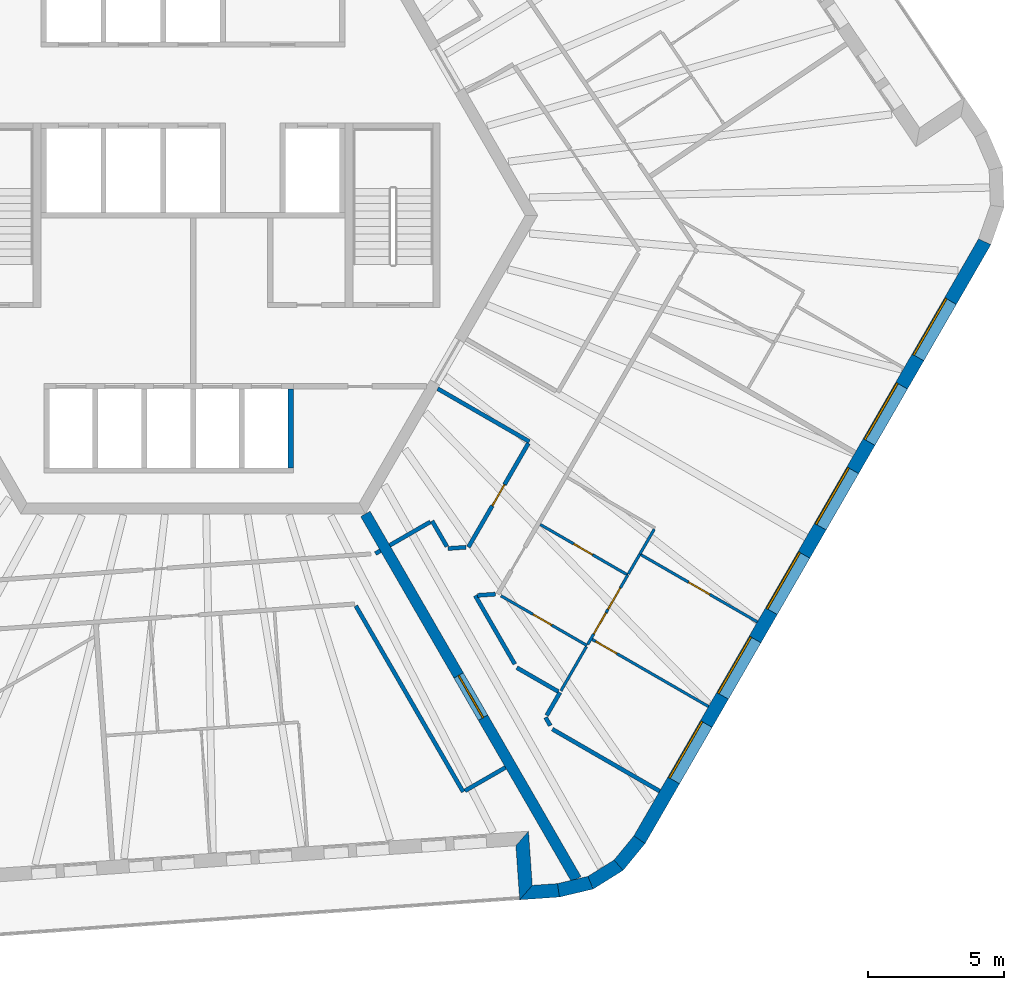
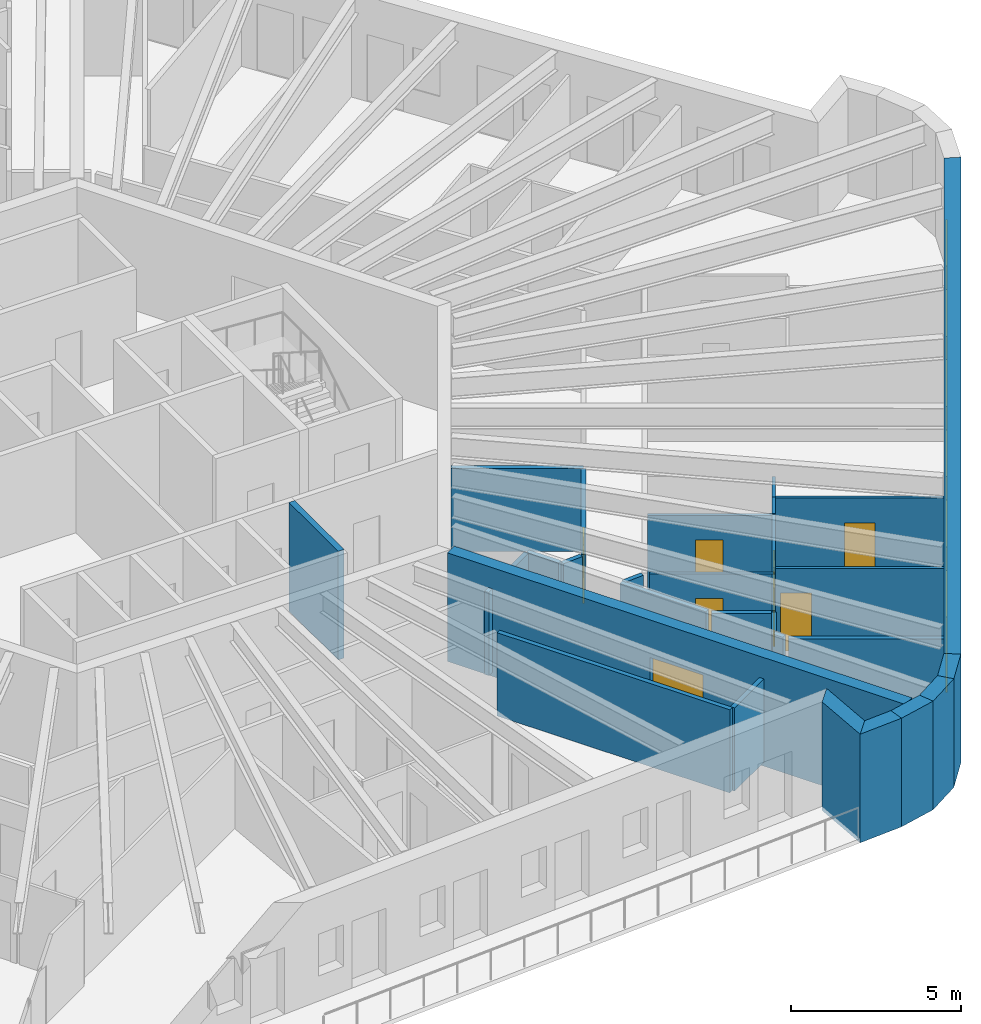
# One storey, part 6 of 12: 30 walls, 8 doors, 6 windows, 14 openings.
"""IFC4 building model written with IfcOpenShell, lengths in metres."""

from ifc_helpers import new_model, si_unit, direction, frame, frame_2d, origin, place, context, subcontext, project, spatial, polyline, rectangle, outline, extrude, material, layer, layer_set, type_object, element, fill, save


model = new_model("IFC4")

# Units and contexts
model_context = context("Model", 3, precision=1e-05, world=origin(), true_north=direction((0.0, 1.0)))
body_context = subcontext(model_context, "Body", "Model", "MODEL_VIEW")
ifc_project = project(units=[si_unit("LENGTHUNIT", "METRE"), si_unit("AREAUNIT", "SQUARE_METRE"), si_unit("VOLUMEUNIT", "CUBIC_METRE"), si_unit("PLANEANGLEUNIT", "RADIAN"), si_unit("MASSUNIT", "GRAM", prefix="KILO")], contexts=[model_context])

# Site, building, storey
site_placement = place(None, origin())
site = spatial("IfcSite", under=ifc_project, at=site_placement, CompositionType="ELEMENT")
building_placement = place(site_placement, origin())
building = spatial("IfcBuilding", under=site, at=building_placement, Name="Tarnside Tower", CompositionType="ELEMENT")
storey_placement = place(building_placement, frame((0.0, 0.0, 318.60009765625)))
storey = spatial("IfcBuildingStorey", under=building, at=storey_placement, Name="L77", CompositionType="ELEMENT", Elevation=318.60009765625)

# Wall
ifc_material_1 = material(Name="Gypsum board partition on steel studs", Category="steel")
ifc_layer_1 = layer(ifc_material_1, 0.10009765625)
ifc_layer_set_1 = layer_set([ifc_layer_1], Name="Bathroom wall 100")
wall_type_1 = type_object("IfcWallType", Name="Bathroom wall 100", PredefinedType="PARTITIONING", material=ifc_layer_set_1)
wall_1_placement = place(storey_placement, frame((16.994873046875, -11.56396484375, 0.0), z_axis=(0.0, 0.0, 1.0), x_axis=(-0.50002815445, -0.866009148195, 0.0)))
element("IfcWall", 1, at=wall_1_placement, inside=storey, type_object=wall_type_1, Name="Bathroom wall 25147", PredefinedType="PARTITIONING", context=body_context, shape_type="SweptSolid", body=[
    extrude(rectangle(XDim=1.06005859375, YDim=0.10009765625, at=frame_2d((0.530029296875, 0.0))), origin(), (0.0, 0.0, 1.0), 2.98779296875),
])

# Wall, opening, door
wall_2_placement = place(storey_placement, frame((16.02001953125, -13.252685546875, 0.0), z_axis=(0.0, 0.0, 1.0), x_axis=(-0.866028424924, 0.499994767197, 0.0)))
wall_2 = element("IfcWall", 2, at=wall_2_placement, inside=storey, type_object=wall_type_1, Name="Bathroom wall 25151", PredefinedType="PARTITIONING", context=body_context, shape_type="SweptSolid", body=[
    extrude(rectangle(XDim=3.72509765625, YDim=0.10009765625, at=frame_2d((1.862548828125, 0.0))), origin(), (0.0, 0.0, 1.0), 2.98779296875),
])
opening_1_placement = place(wall_2_placement, frame((1.5, 0.0, 0.0)))
opening_1 = element("IfcOpeningElement", 3, at=opening_1_placement, cuts=wall_2, Name="Opening D-B1", PredefinedType="OPENING", context=body_context, shape_type="SweptSolid", body=[
    extrude(rectangle(XDim=0.800048828125, YDim=2.10009765625, at=frame_2d((0.39990234375, 1.050048828125))), frame((0.0, 0.06005859375, 0.0), z_axis=(0.0, -1.0, 0.0), x_axis=(1.0, 0.0, 0.0)), (0.0, 0.0, 1.0), 0.1201171875),
])
ifc_material_2 = material(Name="Timber door leaf", Category="wood")
door_type_1 = type_object("IfcDoorType", Name="Bathroom door 800", OperationType="NOTDEFINED", PredefinedType="DOOR", material=ifc_material_2)
door_1_placement = place(opening_1_placement, origin())
door_1 = element("IfcDoor", 4, at=door_1_placement, inside=storey, type_object=door_type_1, Name="Bathroom door 25048", OperationType="SINGLE_SWING_LEFT", OverallHeight=2.10009765625, OverallWidth=0.800048828125, PredefinedType="DOOR", context=body_context, shape_type="SweptSolid", body=[
    extrude(rectangle(XDim=0.800048828125, YDim=2.10009765625, at=frame_2d((0.39990234375, 1.050048828125))), frame((0.0, 0.02490234375, 0.0), z_axis=(0.0, -1.0, 0.0), x_axis=(1.0, 0.0, 0.0)), (0.0, 0.0, 1.0), 0.050048828125),
])
fill(opening_1, door_1)

wall_3_placement = place(storey_placement, frame((11.34521484375, -14.017822265625, 0.0), z_axis=(0.0, 0.0, 1.0), x_axis=(0.866050287132, -0.499956898301, 0.0)))
wall_3 = element("IfcWall", 5, at=wall_3_placement, inside=storey, type_object=wall_type_1, Name="Bathroom wall 25154", PredefinedType="PARTITIONING", context=body_context, shape_type="SweptSolid", body=[
    extrude(rectangle(XDim=3.665771484375, YDim=0.10009765625, at=frame_2d((1.8330078125, 0.0))), origin(), (0.0, 0.0, 1.0), 2.98779296875),
])
opening_2_placement = place(wall_3_placement, frame((1.365966796875, 0.0, 0.0)))
opening_2 = element("IfcOpeningElement", 6, at=opening_2_placement, cuts=wall_3, Name="Opening D-B1", PredefinedType="OPENING", context=body_context, shape_type="SweptSolid", body=[
    extrude(rectangle(XDim=0.800048828125, YDim=2.10009765625, at=frame_2d((0.39990234375, 1.050048828125))), frame((0.0, 0.06005859375, 0.0), z_axis=(0.0, -1.0, 0.0), x_axis=(1.0, 0.0, 0.0)), (0.0, 0.0, 1.0), 0.1201171875),
])
door_2_placement = place(opening_2_placement, origin())
door_2 = element("IfcDoor", 7, at=door_2_placement, inside=storey, type_object=door_type_1, Name="Bathroom door 25056", OperationType="SINGLE_SWING_RIGHT", OverallHeight=2.10009765625, OverallWidth=0.800048828125, PredefinedType="DOOR", context=body_context, shape_type="SweptSolid", body=[
    extrude(rectangle(XDim=0.800048828125, YDim=2.10009765625, at=frame_2d((0.39990234375, 1.050048828125))), frame((0.0, 0.02490234375, 0.0), z_axis=(0.0, -1.0, 0.0), x_axis=(1.0, 0.0, 0.0)), (0.0, 0.0, 1.0), 0.050048828125),
])
fill(opening_2, door_2)

# Walls
wall_4_placement = place(storey_placement, frame((16.0439453125, -13.2109375, 0.0), z_axis=(0.0, 0.0, 1.0), x_axis=(0.499997969693, 0.866026575979, 0.0)))
element("IfcWall", 8, at=wall_4_placement, inside=storey, type_object=wall_type_1, Name="Bathroom wall 25155", PredefinedType="PARTITIONING", context=body_context, shape_type="SweptSolid", body=[
    extrude(rectangle(XDim=0.84375, YDim=0.10009765625, at=frame_2d((0.421875, 0.0))), origin(), (0.0, 0.0, 1.0), 2.98779296875),
])
wall_5_placement = place(storey_placement, frame((14.494873046875, -15.89404296875, 0.0), z_axis=(0.0, 0.0, 1.0), x_axis=(-0.500004234368, -0.866022959057, 0.0)))
element("IfcWall", 9, at=wall_5_placement, inside=storey, type_object=wall_type_1, Name="Bathroom wall 25157", PredefinedType="PARTITIONING", context=body_context, shape_type="SweptSolid", body=[
    extrude(rectangle(XDim=1.875, YDim=0.10009765625, at=frame_2d((0.9375, 0.0))), origin(), (0.0, 0.0, 1.0), 2.98779296875),
])

# Wall, opening, door
ifc_material_3 = material(Name="Concrete C60/75", Category="concrete")
ifc_layer_2 = layer(ifc_material_3, 0.39990234375)
ifc_layer_set_2 = layer_set([ifc_layer_2], Name="Core wall Z3 400 C60/75")
wall_type_2 = type_object("IfcWallType", Name="Core wall Z3 400 C60/75", PredefinedType="SHEAR", material=ifc_layer_set_2)
wall_6_placement = place(storey_placement, frame((6.350830078125, -11.0, -0.150146484375), z_axis=(0.0, 0.0, 1.0), x_axis=(0.499998894578, -0.866026041999, 0.0)))
wall_6 = element("IfcWall", 10, at=wall_6_placement, inside=storey, type_object=wall_type_2, Name="L77 spine wall 3", PredefinedType="SHEAR", context=body_context, shape_type="SweptSolid", body=[
    extrude(rectangle(XDim=15.54443359375, YDim=0.39990234375, at=frame_2d((7.772216796875, 0.0))), origin(), (0.0, 0.0, 1.0), 3.900146484375),
])
opening_3_placement = place(wall_6_placement, frame((6.872314453125, 0.0, 0.14990234375)))
opening_3 = element("IfcOpeningElement", 11, at=opening_3_placement, cuts=wall_6, Name="Opening CD-SPN", PredefinedType="OPENING", context=body_context, shape_type="SweptSolid", body=[
    extrude(rectangle(XDim=1.800048828125, YDim=2.39990234375, at=frame_2d((0.89990234375, 1.199951171875))), frame((0.0, 0.2099609375, 0.0), z_axis=(0.0, -1.0, 0.0), x_axis=(1.0, 0.0, 0.0)), (0.0, 0.0, 1.0), 0.419921875),
])
ifc_material_4 = material(Name="Steel fire door", Category="steel")
door_type_2 = type_object("IfcDoorType", Name="Spine passage double door FD60 1800x2400", OperationType="NOTDEFINED", PredefinedType="DOOR", material=ifc_material_4)
door_3_placement = place(opening_3_placement, origin())
door_3 = element("IfcDoor", 12, at=door_3_placement, inside=storey, type_object=door_type_2, Name="L77 spine passage door 3", OperationType="DOUBLE_DOOR_SINGLE_SWING", OverallHeight=2.39990234375, OverallWidth=1.800048828125, PredefinedType="DOOR", context=body_context, shape_type="SweptSolid", body=[
    extrude(rectangle(XDim=1.800048828125, YDim=2.39990234375, at=frame_2d((0.89990234375, 1.199951171875))), frame((0.0, 0.02490234375, 0.0), z_axis=(0.0, -1.0, 0.0), x_axis=(1.0, 0.0, 0.0)), (0.0, 0.0, 1.0), 0.050048828125),
])
fill(opening_3, door_3)

# Walls
ifc_layer_3 = layer(ifc_material_1, 0.14990234375)
ifc_layer_set_3 = layer_set([ifc_layer_3], Name="Corridor wall 150 EI 60")
wall_type_3 = type_object("IfcWallType", Name="Corridor wall 150 EI 60", PredefinedType="PARTITIONING", material=ifc_layer_set_3)
wall_7_placement = place(storey_placement, frame((5.99951171875, -14.3916015625, 0.0), z_axis=(0.0, 0.0, 1.0), x_axis=(0.499999400414, -0.866025749955, 0.0)))
element("IfcWall", 13, at=wall_7_placement, inside=storey, type_object=wall_type_3, Name="Corridor wall 25039", PredefinedType="PARTITIONING", context=body_context, shape_type="SweptSolid", body=[
    extrude(rectangle(XDim=7.91064453125, YDim=0.14990234375, at=frame_2d((3.955322265625, 0.0))), origin(), (0.0, 0.0, 1.0), 2.98779296875),
])
wall_8_placement = place(storey_placement, frame((10.019775390625, -21.204833984375, 0.0), z_axis=(0.0, 0.0, 1.0), x_axis=(0.866074815912, 0.499914405916, 0.0)))
element("IfcWall", 14, at=wall_8_placement, inside=storey, type_object=wall_type_3, Name="Corridor wall 25040", PredefinedType="PARTITIONING", context=body_context, shape_type="SweptSolid", body=[
    extrude(rectangle(XDim=1.724853515625, YDim=0.14990234375, at=frame_2d((0.8623046875, 0.0))), origin(), (0.0, 0.0, 1.0), 2.98779296875),
])
wall_9_placement = place(storey_placement, frame((6.903076171875, -12.3564453125, 0.0), z_axis=(0.0, 0.0, 1.0), x_axis=(-0.866088799389, -0.499890179513, 0.0)))
element("IfcWall", 15, at=wall_9_placement, inside=storey, type_object=wall_type_3, Name="Corridor wall 25049", PredefinedType="PARTITIONING", context=body_context, shape_type="SweptSolid", body=[
    extrude(rectangle(XDim=0.2099609375, YDim=0.14990234375, at=frame_2d((0.10498046875, 0.0))), origin(), (0.0, 0.0, 1.0), 2.98779296875),
])
wall_10_placement = place(storey_placement, frame((17.196044921875, -21.215576171875, 0.0), z_axis=(0.0, 0.0, 1.0), x_axis=(-0.866028083473, 0.499995358614, 0.0)))
element("IfcWall", 16, at=wall_10_placement, inside=storey, type_object=wall_type_3, Name="Corridor wall 25056", PredefinedType="PARTITIONING", context=body_context, shape_type="SweptSolid", body=[
    extrude(rectangle(XDim=4.56884765625, YDim=0.14990234375, at=frame_2d((2.284423828125, 0.0))), origin(), (0.0, 0.0, 1.0), 2.98779296875),
])
wall_11_placement = place(storey_placement, frame((13.164306640625, -18.80126953125, 0.0), z_axis=(0.0, 0.0, 1.0), x_axis=(-0.499762962979, 0.866162213927, 0.0)))
element("IfcWall", 17, at=wall_11_placement, inside=storey, type_object=wall_type_3, Name="Corridor wall 25057", PredefinedType="PARTITIONING", context=body_context, shape_type="SweptSolid", body=[
    extrude(rectangle(XDim=0.347900390625, YDim=0.14990234375, at=frame_2d((0.173828125, 0.0))), origin(), (0.0, 0.0, 1.0), 2.98779296875),
])
wall_12_placement = place(storey_placement, frame((13.03369140625, -18.425048828125, 0.0), z_axis=(0.0, 0.0, 1.0), x_axis=(0.500011000363, 0.866019052629, 0.0)))
element("IfcWall", 18, at=wall_12_placement, inside=storey, type_object=wall_type_3, Name="Corridor wall 25058", PredefinedType="PARTITIONING", context=body_context, shape_type="SweptSolid", body=[
    extrude(rectangle(XDim=0.9765625, YDim=0.14990234375, at=frame_2d((0.48828125, 0.0))), origin(), (0.0, 0.0, 1.0), 2.98779296875),
])
wall_13_placement = place(storey_placement, frame((13.455078125, -17.545166015625, 0.0), z_axis=(0.0, 0.0, 1.0), x_axis=(-0.866074688284, 0.499914627025, 0.0)))
element("IfcWall", 19, at=wall_13_placement, inside=storey, type_object=wall_type_3, Name="Corridor wall 25059", PredefinedType="PARTITIONING", context=body_context, shape_type="SweptSolid", body=[
    extrude(rectangle(XDim=1.759521484375, YDim=0.14990234375, at=frame_2d((0.8798828125, 0.0))), origin(), (0.0, 0.0, 1.0), 2.98779296875),
])
wall_14_placement = place(storey_placement, frame((11.856201171875, -16.53564453125, 0.0), z_axis=(0.0, 0.0, 1.0), x_axis=(-0.49996389635, 0.866046247233, 0.0)))
element("IfcWall", 20, at=wall_14_placement, inside=storey, type_object=wall_type_3, Name="Corridor wall 25060", PredefinedType="PARTITIONING", context=body_context, shape_type="SweptSolid", body=[
    extrude(rectangle(XDim=2.917724609375, YDim=0.14990234375, at=frame_2d((1.458984375, 0.0))), origin(), (0.0, 0.0, 1.0), 2.98779296875),
])
wall_15_placement = place(storey_placement, frame((10.480712890625, -14.0029296875, 0.0), z_axis=(0.0, 0.0, 1.0), x_axis=(0.997577490052, 0.06956400895, 0.0)))
element("IfcWall", 21, at=wall_15_placement, inside=storey, type_object=wall_type_3, Name="Corridor wall 25061", PredefinedType="PARTITIONING", context=body_context, shape_type="SweptSolid", body=[
    extrude(rectangle(XDim=0.659912109375, YDim=0.14990234375, at=frame_2d((0.330078125, 0.0))), origin(), (0.0, 0.0, 1.0), 2.98779296875),
])
wall_16_placement = place(storey_placement, frame((9.015625, -6.38427734375, 0.0), z_axis=(0.0, 0.0, 1.0), x_axis=(0.866042777325, -0.499969906938, 0.0)))
element("IfcWall", 22, at=wall_16_placement, inside=storey, type_object=wall_type_3, Name="Corridor wall 25077", PredefinedType="PARTITIONING", context=body_context, shape_type="SweptSolid", body=[
    extrude(rectangle(XDim=3.900146484375, YDim=0.14990234375, at=frame_2d((1.9501953125, 0.0))), origin(), (0.0, 0.0, 1.0), 2.98779296875),
])

# Wall, opening, door
wall_17_placement = place(storey_placement, frame((12.355712890625, -8.399169921875, 0.0), z_axis=(0.0, 0.0, 1.0), x_axis=(-0.499993756358, -0.866029008523, 0.0)))
wall_17 = element("IfcWall", 23, at=wall_17_placement, inside=storey, type_object=wall_type_3, Name="Corridor wall 25078", PredefinedType="PARTITIONING", context=body_context, shape_type="SweptSolid", body=[
    extrude(rectangle(XDim=4.4140625, YDim=0.14990234375, at=frame_2d((2.20703125, 0.0))), origin(), (0.0, 0.0, 1.0), 2.98779296875),
])
opening_4_placement = place(wall_17_placement, frame((1.7568359375, 0.0, 0.0)))
opening_4 = element("IfcOpeningElement", 24, at=opening_4_placement, cuts=wall_17, Name="Opening D-S1", PredefinedType="OPENING", context=body_context, shape_type="SweptSolid", body=[
    extrude(rectangle(XDim=0.89990234375, YDim=2.10009765625, at=frame_2d((0.449951171875, 1.050048828125))), frame((0.0, 0.0849609375, 0.0), z_axis=(0.0, -1.0, 0.0), x_axis=(1.0, 0.0, 0.0)), (0.0, 0.0, 1.0), 0.169921875),
])
door_type_3 = type_object("IfcDoorType", Name="Service room door 900 FD30S", OperationType="NOTDEFINED", PredefinedType="DOOR", material=ifc_material_2)
door_4_placement = place(opening_4_placement, origin())
door_4 = element("IfcDoor", 25, at=door_4_placement, inside=storey, type_object=door_type_3, Name="Service door 25076", OperationType="SINGLE_SWING_LEFT", OverallHeight=2.10009765625, OverallWidth=0.89990234375, PredefinedType="DOOR", context=body_context, shape_type="SweptSolid", body=[
    extrude(rectangle(XDim=0.89990234375, YDim=2.10009765625, at=frame_2d((0.449951171875, 1.050048828125))), frame((0.0, 0.02490234375, 0.0), z_axis=(0.0, -1.0, 0.0), x_axis=(1.0, 0.0, 0.0)), (0.0, 0.0, 1.0), 0.050048828125),
])
fill(opening_4, door_4)

# Walls
wall_18_placement = place(storey_placement, frame((10.05859375, -12.22802734375, 0.0), z_axis=(0.0, 0.0, 1.0), x_axis=(-0.99755845504, -0.069836443057, 0.0)))
element("IfcWall", 26, at=wall_18_placement, inside=storey, type_object=wall_type_3, Name="Corridor wall 25079", PredefinedType="PARTITIONING", context=body_context, shape_type="SweptSolid", body=[
    extrude(rectangle(XDim=0.664306640625, YDim=0.14990234375, at=frame_2d((0.33203125, 0.0))), origin(), (0.0, 0.0, 1.0), 2.98779296875),
])
wall_19_placement = place(storey_placement, frame((9.354248046875, -12.2021484375, 0.0), z_axis=(0.0, 0.0, 1.0), x_axis=(-0.499986987217, 0.866032916588, 0.0)))
element("IfcWall", 27, at=wall_19_placement, inside=storey, type_object=wall_type_3, Name="Corridor wall 25080", PredefinedType="PARTITIONING", context=body_context, shape_type="SweptSolid", body=[
    extrude(rectangle(XDim=1.091796875, YDim=0.14990234375, at=frame_2d((0.5458984375, 0.0))), origin(), (0.0, 0.0, 1.0), 2.98779296875),
])
wall_20_placement = place(storey_placement, frame((8.743408203125, -11.2939453125, 0.0), z_axis=(0.0, 0.0, 1.0), x_axis=(-0.866013532718, -0.500020560727, 0.0)))
element("IfcWall", 28, at=wall_20_placement, inside=storey, type_object=wall_type_3, Name="Corridor wall 25081", PredefinedType="PARTITIONING", context=body_context, shape_type="SweptSolid", body=[
    extrude(rectangle(XDim=1.72509765625, YDim=0.14990234375, at=frame_2d((0.862548828125, 0.0))), origin(), (0.0, 0.0, 1.0), 2.98779296875),
])
ifc_material_5 = material(Name="Concrete C40/50", Category="concrete")
ifc_layer_4 = layer(ifc_material_5, 0.199951171875)
ifc_layer_set_4 = layer_set([ifc_layer_4], Name="Lift shaft wall 200 C40/50")
wall_type_4 = type_object("IfcWallType", Name="Lift shaft wall 200 C40/50", PredefinedType="SHEAR", material=ifc_layer_set_4)
wall_21_placement = place(storey_placement, frame((3.60009765625, -9.300048828125, -0.25), z_axis=(0.0, 0.0, 1.0), x_axis=(0.0, 1.0, 0.0)))
element("IfcWall", 29, at=wall_21_placement, inside=storey, type_object=wall_type_4, Name="L77 lift shaft partition R46", PredefinedType="SHEAR", context=body_context, shape_type="SweptSolid", body=[
    extrude(rectangle(XDim=2.900146484375, YDim=0.199951171875, at=frame_2d((1.4501953125, 0.0))), origin(), (0.0, 0.0, 1.0), 3.89990234375),
])
ifc_material_6 = material(Name="Dark zinc cladding")
ifc_layer_5 = layer(ifc_material_6, 0.10205078125)
ifc_material_7 = material(Name="Concrete C60/75 precast", Category="concrete")
ifc_layer_6 = layer(ifc_material_7, 0.298095703125)
ifc_material_8 = material(Name="Mineral wool insulation")
ifc_layer_7 = layer(ifc_material_8, 0.10009765625)
ifc_layer_set_5 = layer_set([ifc_layer_5, ifc_layer_6, ifc_layer_7], Name="Loggia wall 500 zinc faced")
wall_type_5 = type_object("IfcWallType", Name="Loggia wall 500 zinc faced", PredefinedType="SOLIDWALL", material=ifc_layer_set_5)
wall_22_placement = place(storey_placement, frame((12.128662109375, -22.9599609375, -0.150146484375), z_axis=(0.0, 0.0, 1.0), x_axis=(0.069824268692, -0.99755930726, 0.0)))
element("IfcWall", 30, at=wall_22_placement, inside=storey, type_object=wall_type_5, Name="Tube wall L77 F4 return 19", PredefinedType="SOLIDWALL", context=body_context, shape_type="SweptSolid", body=[
    extrude(outline(polyline([(0.25, -0.25), (2.25, -0.25), (1.75, 0.25), (-0.25, 0.25), (0.25, -0.25)])), origin(), (0.0, 0.0, 1.0), 3.900146484375),
])
wall_23_placement = place(storey_placement, frame((12.268310546875, -24.955078125, -0.150146484375), z_axis=(0.0, 0.0, 1.0), x_axis=(0.997561942506, 0.06978660948, 0.0)))
element("IfcWall", 31, at=wall_23_placement, inside=storey, type_object=wall_type_5, Name="Tube wall L77 F4 stub 20", PredefinedType="SOLIDWALL", context=body_context, shape_type="SweptSolid", body=[
    extrude(outline(polyline([(-0.25, -0.25), (1.220458984375, -0.25), (1.179443359375, 0.25), (0.25, 0.25), (-0.25, -0.25)])), origin(), (0.0, 0.0, 1.0), 3.900146484375),
])

# Wall, opening, door
ifc_layer_8 = layer(ifc_material_1, 0.10009765625)
ifc_layer_set_6 = layer_set([ifc_layer_8], Name="Partition 100")
wall_type_6 = type_object("IfcWallType", Name="Partition 100", PredefinedType="PARTITIONING", material=ifc_layer_set_6)
wall_24_placement = place(storey_placement, frame((16.50927734375, -12.505126953125, 0.0), z_axis=(0.0, 0.0, 1.0), x_axis=(0.866018855338, -0.500011342071, 0.0)))
wall_24 = element("IfcWall", 32, at=wall_24_placement, inside=storey, type_object=wall_type_6, Name="Partition wall 25148", PredefinedType="PARTITIONING", context=body_context, shape_type="SweptSolid", body=[
    extrude(rectangle(XDim=4.9501953125, YDim=0.10009765625, at=frame_2d((2.47509765625, 0.0))), origin(), (0.0, 0.0, 1.0), 2.98779296875),
])
opening_5_placement = place(wall_24_placement, frame((2.02490234375, 0.0, 0.0)))
opening_5 = element("IfcOpeningElement", 33, at=opening_5_placement, cuts=wall_24, Name="Opening D-I1", PredefinedType="OPENING", context=body_context, shape_type="SweptSolid", body=[
    extrude(rectangle(XDim=0.89990234375, YDim=2.10009765625, at=frame_2d((0.449951171875, 1.050048828125))), frame((0.0, 0.06005859375, 0.0), z_axis=(0.0, -1.0, 0.0), x_axis=(1.0, 0.0, 0.0)), (0.0, 0.0, 1.0), 0.1201171875),
])
door_type_4 = type_object("IfcDoorType", Name="Internal door 900", OperationType="NOTDEFINED", PredefinedType="DOOR", material=ifc_material_2)
door_5_placement = place(opening_5_placement, origin())
door_5 = element("IfcDoor", 34, at=door_5_placement, inside=storey, type_object=door_type_4, Name="Internal door 25070", OperationType="SINGLE_SWING_RIGHT", OverallHeight=2.10009765625, OverallWidth=0.89990234375, PredefinedType="DOOR", context=body_context, shape_type="SweptSolid", body=[
    extrude(rectangle(XDim=0.89990234375, YDim=2.10009765625, at=frame_2d((0.449951171875, 1.050048828125))), frame((0.0, 0.02490234375, 0.0), z_axis=(0.0, -1.0, 0.0), x_axis=(1.0, 0.0, 0.0)), (0.0, 0.0, 1.0), 0.050048828125),
])
fill(opening_5, door_5)

# Wall, openings, doors
wall_25_placement = place(storey_placement, frame((14.5439453125, -15.80908203125, 0.0), z_axis=(0.0, 0.0, 1.0), x_axis=(0.500032473623, 0.866006654318, 0.0)))
wall_25 = element("IfcWall", 35, at=wall_25_placement, inside=storey, type_object=wall_type_6, Name="Partition wall 25152", PredefinedType="PARTITIONING", context=body_context, shape_type="SweptSolid", body=[
    extrude(rectangle(XDim=2.953857421875, YDim=0.10009765625, at=frame_2d((1.47705078125, 0.0))), origin(), (0.0, 0.0, 1.0), 2.98779296875),
])
opening_6_placement = place(wall_25_placement, frame((0.44384765625, 0.0, 0.0)))
opening_6 = element("IfcOpeningElement", 36, at=opening_6_placement, cuts=wall_25, Name="Opening D-I1", PredefinedType="OPENING", context=body_context, shape_type="SweptSolid", body=[
    extrude(rectangle(XDim=0.89990234375, YDim=2.10009765625, at=frame_2d((0.449951171875, 1.050048828125))), frame((0.0, 0.06005859375, 0.0), z_axis=(0.0, -1.0, 0.0), x_axis=(1.0, 0.0, 0.0)), (0.0, 0.0, 1.0), 0.1201171875),
])
opening_7_placement = place(wall_25_placement, frame((1.498046875, 0.0, 0.0)))
opening_7 = element("IfcOpeningElement", 37, at=opening_7_placement, cuts=wall_25, Name="Opening D-I1", PredefinedType="OPENING", context=body_context, shape_type="SweptSolid", body=[
    extrude(rectangle(XDim=0.89990234375, YDim=2.10009765625, at=frame_2d((0.449951171875, 1.050048828125))), frame((0.0, 0.06005859375, 0.0), z_axis=(0.0, -1.0, 0.0), x_axis=(1.0, 0.0, 0.0)), (0.0, 0.0, 1.0), 0.1201171875),
])
door_6_placement = place(opening_6_placement, origin())
door_6 = element("IfcDoor", 38, at=door_6_placement, inside=storey, type_object=door_type_4, Name="Internal door 25051", OperationType="SINGLE_SWING_LEFT", OverallHeight=2.10009765625, OverallWidth=0.89990234375, PredefinedType="DOOR", context=body_context, shape_type="SweptSolid", body=[
    extrude(rectangle(XDim=0.89990234375, YDim=2.10009765625, at=frame_2d((0.449951171875, 1.050048828125))), frame((0.0, 0.02490234375, 0.0), z_axis=(0.0, -1.0, 0.0), x_axis=(1.0, 0.0, 0.0)), (0.0, 0.0, 1.0), 0.050048828125),
])
fill(opening_6, door_6)
door_7_placement = place(opening_7_placement, origin())
door_7 = element("IfcDoor", 39, at=door_7_placement, inside=storey, type_object=door_type_4, Name="Internal door 25055", OperationType="SINGLE_SWING_LEFT", OverallHeight=2.10009765625, OverallWidth=0.89990234375, PredefinedType="DOOR", context=body_context, shape_type="SweptSolid", body=[
    extrude(rectangle(XDim=0.89990234375, YDim=2.10009765625, at=frame_2d((0.449951171875, 1.050048828125))), frame((0.0, 0.02490234375, 0.0), z_axis=(0.0, -1.0, 0.0), x_axis=(1.0, 0.0, 0.0)), (0.0, 0.0, 1.0), 0.050048828125),
])
fill(opening_7, door_7)

# Wall, opening, door
wall_26_placement = place(storey_placement, frame((18.99609375, -18.097900390625, 0.0), z_axis=(0.0, 0.0, 1.0), x_axis=(-0.866018855338, 0.500011342071, 0.0)))
wall_26 = element("IfcWall", 40, at=wall_26_placement, inside=storey, type_object=wall_type_6, Name="Partition wall 25156", PredefinedType="PARTITIONING", context=body_context, shape_type="SweptSolid", body=[
    extrude(rectangle(XDim=4.9501953125, YDim=0.10009765625, at=frame_2d((2.47509765625, 0.0))), origin(), (0.0, 0.0, 1.0), 2.98779296875),
])
opening_8_placement = place(wall_26_placement, frame((3.89990234375, 0.0, 0.0)))
opening_8 = element("IfcOpeningElement", 41, at=opening_8_placement, cuts=wall_26, Name="Opening D-I1", PredefinedType="OPENING", context=body_context, shape_type="SweptSolid", body=[
    extrude(rectangle(XDim=0.89990234375, YDim=2.10009765625, at=frame_2d((0.449951171875, 1.050048828125))), frame((0.0, 0.06005859375, 0.0), z_axis=(0.0, -1.0, 0.0), x_axis=(1.0, 0.0, 0.0)), (0.0, 0.0, 1.0), 0.1201171875),
])
door_8_placement = place(opening_8_placement, origin())
door_8 = element("IfcDoor", 42, at=door_8_placement, inside=storey, type_object=door_type_4, Name="Internal door 25054", OperationType="SINGLE_SWING_RIGHT", OverallHeight=2.10009765625, OverallWidth=0.89990234375, PredefinedType="DOOR", context=body_context, shape_type="SweptSolid", body=[
    extrude(rectangle(XDim=0.89990234375, YDim=2.10009765625, at=frame_2d((0.449951171875, 1.050048828125))), frame((0.0, 0.02490234375, 0.0), z_axis=(0.0, -1.0, 0.0), x_axis=(1.0, 0.0, 0.0)), (0.0, 0.0, 1.0), 0.050048828125),
])
fill(opening_8, door_8)

# Walls
ifc_material_9 = material(Name="Facing brick", Category="masonry")
ifc_layer_9 = layer(ifc_material_9, 0.10205078125)
ifc_layer_10 = layer(ifc_material_7, 0.298095703125)
ifc_layer_11 = layer(ifc_material_8, 0.10009765625)
ifc_layer_set_7 = layer_set([ifc_layer_9, ifc_layer_10, ifc_layer_11], Name="Tube wall 500 brick faced")
wall_type_7 = type_object("IfcWallType", Name="Tube wall 500 brick faced", PredefinedType="SOLIDWALL", material=ifc_layer_set_7)
wall_27_placement = place(storey_placement, frame((13.46533203125, -24.871337890625, -0.150146484375), z_axis=(0.0, 0.0, 1.0), x_axis=(0.973044740285, 0.230616420501, 0.0)))
element("IfcWall", 43, at=wall_27_placement, inside=storey, type_object=wall_type_7, Name="Tube wall L77 F4 chord 21", PredefinedType="SOLIDWALL", context=body_context, shape_type="SweptSolid", body=[
    extrude(outline(polyline([(-0.0205078125, -0.25), (1.25732421875, -0.25), (1.17529296875, 0.25), (0.0205078125, 0.25), (-0.0205078125, -0.25)])), origin(), (0.0, 0.0, 1.0), 3.900146484375),
])
wall_28_placement = place(storey_placement, frame((14.64892578125, -24.5908203125, -0.150146484375), z_axis=(0.0, 0.0, 1.0), x_axis=(0.848054682072, 0.529908724419, 0.0)))
element("IfcWall", 44, at=wall_28_placement, inside=storey, type_object=wall_type_7, Name="Tube wall L77 F4 chord 22", PredefinedType="SOLIDWALL", context=body_context, shape_type="SweptSolid", body=[
    extrude(outline(polyline([(-0.041015625, -0.25), (1.25732421875, -0.25), (1.17529296875, 0.25), (0.041015625, 0.25), (-0.041015625, -0.25)])), origin(), (0.0, 0.0, 1.0), 3.900146484375),
])
wall_29_placement = place(storey_placement, frame((15.680419921875, -23.9462890625, -0.150146484375), z_axis=(0.0, 0.0, 1.0), x_axis=(0.633805934167, 0.773492105852, 0.0)))
element("IfcWall", 45, at=wall_29_placement, inside=storey, type_object=wall_type_7, Name="Tube wall L77 F4 chord 23", PredefinedType="SOLIDWALL", context=body_context, shape_type="SweptSolid", body=[
    extrude(outline(polyline([(-0.041015625, -0.25), (1.237060546875, -0.25), (1.196044921875, 0.25), (0.041015625, 0.25), (-0.041015625, -0.25)])), origin(), (0.0, 0.0, 1.0), 3.900146484375),
])

# Wall, openings, windows
wall_30_placement = place(storey_placement, frame((16.451416015625, -23.00537109375, -0.150146484375), z_axis=(0.0, 0.0, 1.0), x_axis=(0.500003737743, 0.866023245787, 0.0)))
wall_30 = element("IfcWall", 46, at=wall_30_placement, inside=storey, type_object=wall_type_7, Name="Tube wall L77 F5 flush 24", PredefinedType="SOLIDWALL", context=body_context, shape_type="SweptSolid", body=[
    extrude(outline(polyline([(-0.0205078125, -0.25), (25.468017578125, -0.25), (25.421142578125, 0.25), (0.0205078125, 0.25), (-0.0205078125, -0.25)])), origin(), (0.0, 0.0, 1.0), 3.900146484375),
])
opening_9_placement = place(wall_30_placement, frame((2.5224609375, 0.0, 0.75)))
opening_9 = element("IfcOpeningElement", 47, at=opening_9_placement, cuts=wall_30, Name="Opening WR", PredefinedType="OPENING", context=body_context, shape_type="SweptSolid", body=[
    extrude(rectangle(XDim=2.39990234375, YDim=2.699951171875, at=frame_2d((1.199951171875, 1.35009765625))), frame((0.0, 0.260009765625, 0.0), z_axis=(0.0, -1.0, 0.0), x_axis=(1.0, 0.0, 0.0)), (0.0, 0.0, 1.0), 0.52001953125),
])
opening_10_placement = place(wall_30_placement, frame((6.122314453125, 0.0, 0.75)))
opening_10 = element("IfcOpeningElement", 48, at=opening_10_placement, cuts=wall_30, Name="Opening WR", PredefinedType="OPENING", context=body_context, shape_type="SweptSolid", body=[
    extrude(rectangle(XDim=2.39990234375, YDim=2.699951171875, at=frame_2d((1.199951171875, 1.35009765625))), frame((0.0, 0.260009765625, 0.0), z_axis=(0.0, -1.0, 0.0), x_axis=(1.0, 0.0, 0.0)), (0.0, 0.0, 1.0), 0.52001953125),
])
opening_11_placement = place(wall_30_placement, frame((9.722412109375, 0.0, 0.75)))
opening_11 = element("IfcOpeningElement", 49, at=opening_11_placement, cuts=wall_30, Name="Opening WR", PredefinedType="OPENING", context=body_context, shape_type="SweptSolid", body=[
    extrude(rectangle(XDim=2.39990234375, YDim=2.699951171875, at=frame_2d((1.199951171875, 1.35009765625))), frame((0.0, 0.260009765625, 0.0), z_axis=(0.0, -1.0, 0.0), x_axis=(1.0, 0.0, 0.0)), (0.0, 0.0, 1.0), 0.52001953125),
])
opening_12_placement = place(wall_30_placement, frame((13.322509765625, 0.0, 0.75)))
opening_12 = element("IfcOpeningElement", 50, at=opening_12_placement, cuts=wall_30, Name="Opening WR", PredefinedType="OPENING", context=body_context, shape_type="SweptSolid", body=[
    extrude(rectangle(XDim=2.39990234375, YDim=2.699951171875, at=frame_2d((1.199951171875, 1.35009765625))), frame((0.0, 0.260009765625, 0.0), z_axis=(0.0, -1.0, 0.0), x_axis=(1.0, 0.0, 0.0)), (0.0, 0.0, 1.0), 0.52001953125),
])
opening_13_placement = place(wall_30_placement, frame((16.92236328125, 0.0, 0.75)))
opening_13 = element("IfcOpeningElement", 51, at=opening_13_placement, cuts=wall_30, Name="Opening WR", PredefinedType="OPENING", context=body_context, shape_type="SweptSolid", body=[
    extrude(rectangle(XDim=2.39990234375, YDim=2.699951171875, at=frame_2d((1.199951171875, 1.35009765625))), frame((0.0, 0.260009765625, 0.0), z_axis=(0.0, -1.0, 0.0), x_axis=(1.0, 0.0, 0.0)), (0.0, 0.0, 1.0), 0.52001953125),
])
opening_14_placement = place(wall_30_placement, frame((20.5224609375, 0.0, 0.75)))
opening_14 = element("IfcOpeningElement", 52, at=opening_14_placement, cuts=wall_30, Name="Opening WR", PredefinedType="OPENING", context=body_context, shape_type="SweptSolid", body=[
    extrude(rectangle(XDim=2.39990234375, YDim=2.699951171875, at=frame_2d((1.199951171875, 1.35009765625))), frame((0.0, 0.260009765625, 0.0), z_axis=(0.0, -1.0, 0.0), x_axis=(1.0, 0.0, 0.0)), (0.0, 0.0, 1.0), 0.52001953125),
])
ifc_material_10 = material(Name="Aluminium-framed double glazing", Category="aluminium")
window_type = type_object("IfcWindowType", Name="Residence window 2400 x 2700", PartitioningType="DOUBLE_PANEL_VERTICAL", PredefinedType="WINDOW", material=ifc_material_10)
window_1_placement = place(opening_9_placement, frame((0.0, 0.179931640625, 0.0)))
window_1 = element("IfcWindow", 53, at=window_1_placement, inside=storey, type_object=window_type, Name="E.WN.L77.F5.00", OverallHeight=2.699951171875, OverallWidth=2.39990234375, PartitioningType="DOUBLE_PANEL_VERTICAL", PredefinedType="WINDOW", context=body_context, shape_type="SweptSolid", body=[
    extrude(rectangle(XDim=2.39990234375, YDim=2.699951171875, at=frame_2d((1.199951171875, 1.35009765625))), frame((0.0, 0.030029296875, 0.0), z_axis=(0.0, -1.0, 0.0), x_axis=(1.0, 0.0, 0.0)), (0.0, 0.0, 1.0), 0.06005859375),
])
fill(opening_9, window_1)
window_2_placement = place(opening_10_placement, frame((0.0, 0.179931640625, 0.0)))
window_2 = element("IfcWindow", 54, at=window_2_placement, inside=storey, type_object=window_type, Name="E.WN.L77.F5.01", OverallHeight=2.699951171875, OverallWidth=2.39990234375, PartitioningType="DOUBLE_PANEL_VERTICAL", PredefinedType="WINDOW", context=body_context, shape_type="SweptSolid", body=[
    extrude(rectangle(XDim=2.39990234375, YDim=2.699951171875, at=frame_2d((1.199951171875, 1.35009765625))), frame((0.0, 0.030029296875, 0.0), z_axis=(0.0, -1.0, 0.0), x_axis=(1.0, 0.0, 0.0)), (0.0, 0.0, 1.0), 0.06005859375),
])
fill(opening_10, window_2)
window_3_placement = place(opening_11_placement, frame((0.0, 0.179931640625, 0.0)))
window_3 = element("IfcWindow", 55, at=window_3_placement, inside=storey, type_object=window_type, Name="E.WN.L77.F5.02", OverallHeight=2.699951171875, OverallWidth=2.39990234375, PartitioningType="DOUBLE_PANEL_VERTICAL", PredefinedType="WINDOW", context=body_context, shape_type="SweptSolid", body=[
    extrude(rectangle(XDim=2.39990234375, YDim=2.699951171875, at=frame_2d((1.199951171875, 1.35009765625))), frame((0.0, 0.030029296875, 0.0), z_axis=(0.0, -1.0, 0.0), x_axis=(1.0, 0.0, 0.0)), (0.0, 0.0, 1.0), 0.06005859375),
])
fill(opening_11, window_3)
window_4_placement = place(opening_12_placement, frame((0.0, 0.179931640625, 0.0)))
window_4 = element("IfcWindow", 56, at=window_4_placement, inside=storey, type_object=window_type, Name="E.WN.L77.F5.03", OverallHeight=2.699951171875, OverallWidth=2.39990234375, PartitioningType="DOUBLE_PANEL_VERTICAL", PredefinedType="WINDOW", context=body_context, shape_type="SweptSolid", body=[
    extrude(rectangle(XDim=2.39990234375, YDim=2.699951171875, at=frame_2d((1.199951171875, 1.35009765625))), frame((0.0, 0.030029296875, 0.0), z_axis=(0.0, -1.0, 0.0), x_axis=(1.0, 0.0, 0.0)), (0.0, 0.0, 1.0), 0.06005859375),
])
fill(opening_12, window_4)
window_5_placement = place(opening_13_placement, frame((0.0, 0.179931640625, 0.0)))
window_5 = element("IfcWindow", 57, at=window_5_placement, inside=storey, type_object=window_type, Name="E.WN.L77.F5.04", OverallHeight=2.699951171875, OverallWidth=2.39990234375, PartitioningType="DOUBLE_PANEL_VERTICAL", PredefinedType="WINDOW", context=body_context, shape_type="SweptSolid", body=[
    extrude(rectangle(XDim=2.39990234375, YDim=2.699951171875, at=frame_2d((1.199951171875, 1.35009765625))), frame((0.0, 0.030029296875, 0.0), z_axis=(0.0, -1.0, 0.0), x_axis=(1.0, 0.0, 0.0)), (0.0, 0.0, 1.0), 0.06005859375),
])
fill(opening_13, window_5)
window_6_placement = place(opening_14_placement, frame((0.0, 0.179931640625, 0.0)))
window_6 = element("IfcWindow", 58, at=window_6_placement, inside=storey, type_object=window_type, Name="E.WN.L77.F5.05", OverallHeight=2.699951171875, OverallWidth=2.39990234375, PartitioningType="DOUBLE_PANEL_VERTICAL", PredefinedType="WINDOW", context=body_context, shape_type="SweptSolid", body=[
    extrude(rectangle(XDim=2.39990234375, YDim=2.699951171875, at=frame_2d((1.199951171875, 1.35009765625))), frame((0.0, 0.030029296875, 0.0), z_axis=(0.0, -1.0, 0.0), x_axis=(1.0, 0.0, 0.0)), (0.0, 0.0, 1.0), 0.06005859375),
])
fill(opening_14, window_6)

save(model, "model.ifc")
